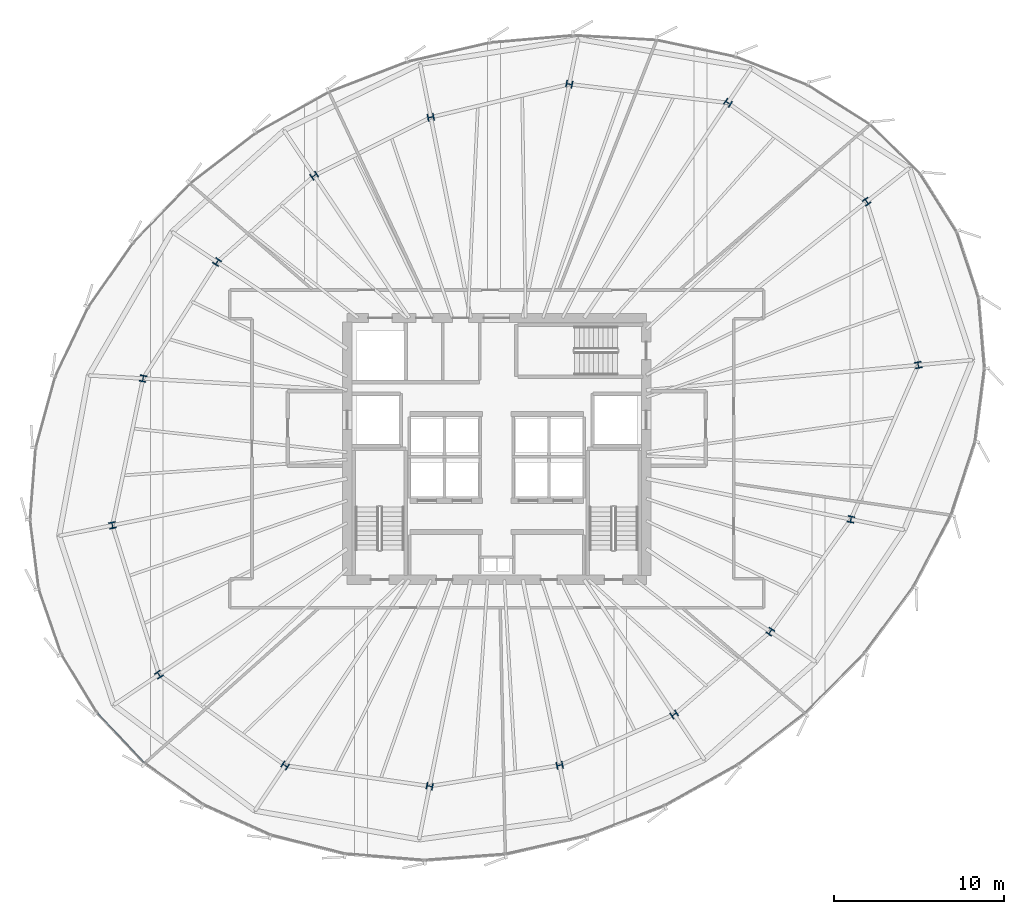
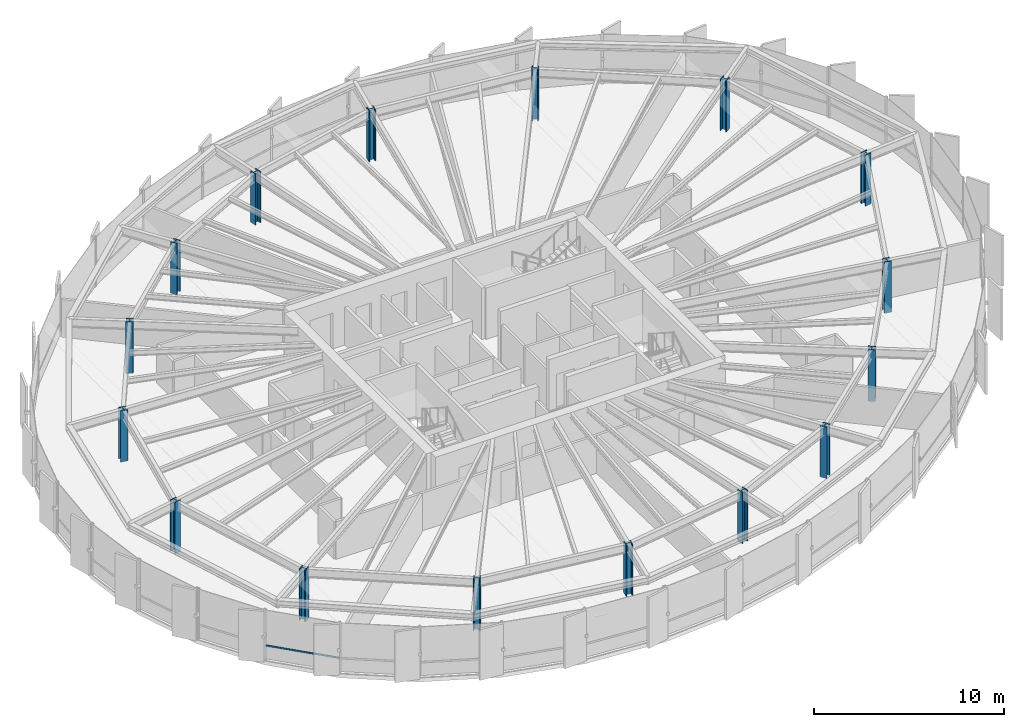
# One storey, part 1 of 35: 16 columns, 1 member, 1 element without a shape of its own.
"""IFC4 building model written with IfcOpenShell, lengths in metres."""

from ifc_helpers import new_model, si_unit, direction, frame, origin, origin_2d, place, context, subcontext, project, spatial, hollow_rectangle, i_section, extrude, source, transform, mapped, material, layer, layer_set, material_profile, profile_set, type_object, element, aggregate, save


model = new_model("IFC4")

# Units and contexts
model_context = context("Model", 3, precision=1e-05, world=origin(), true_north=direction((0.0, 1.0)))
body_context = subcontext(model_context, "Body", "Model", "MODEL_VIEW")
ifc_project = project(units=[si_unit("LENGTHUNIT", "METRE"), si_unit("AREAUNIT", "SQUARE_METRE"), si_unit("VOLUMEUNIT", "CUBIC_METRE"), si_unit("PLANEANGLEUNIT", "RADIAN"), si_unit("MASSUNIT", "GRAM", prefix="KILO"), si_unit("THERMODYNAMICTEMPERATUREUNIT", "KELVIN")], contexts=[model_context])

# Site, building, storey
site_placement = place(None, origin())
site = spatial("IfcSite", under=ifc_project, at=site_placement, CompositionType="ELEMENT")
building_placement = place(site_placement, origin())
building = spatial("IfcBuilding", under=site, at=building_placement, Name="Kethvar Cultural Tower", CompositionType="ELEMENT")
storey_placement = place(building_placement, frame((0.0, 0.0, 135.89990234375)))
storey = spatial("IfcBuildingStorey", under=building, at=storey_placement, Name="L34", CompositionType="ELEMENT", Elevation=135.89990234375)

# Columns
ifc_material_1 = material(Name="Steel S460M", Category="steel")
ifc_material_profile_1 = material_profile(ifc_material_1, i_section(OverallWidth=0.40087890625, OverallDepth=0.381103515625, WebThickness=0.031982421875, FlangeThickness=0.051025390625, FilletRadius=0.014892578125, at=origin_2d()), Name="Steel S460M — HD400x677")
ifc_profile_set_1 = profile_set([ifc_material_profile_1], Name="Steel S460M — HD400x677")
column_type = type_object("IfcColumnType", Name="COL-HD677", PredefinedType="COLUMN", material=ifc_profile_set_1)
shared_shape_1 = source(origin(), body_context, "Body", "SweptSolid", [
    extrude(i_section(OverallWidth=0.40087890625, OverallDepth=0.381103515625, WebThickness=0.031982421875, FlangeThickness=0.051025390625, FilletRadius=0.014892578125, at=origin_2d()), origin(), (0.0, 0.0, 1.0), 3.300048828125),
])
for number, where, z_axis, x_axis, name in (
    (1, (71.6025390625, 32.7333984375, 0.0), (0.0, 0.0, 1.0), (0.980785280403, 0.195090322016, 0.0), "L34 Mega-Column MC-01"),
    (2, (68.568603515625, 42.34521484375, 0.0), (0.0, 0.0, 1.0), (0.831469612303, 0.55557023302, 0.0), "L34 Mega-Column MC-02"),
    (3, (60.40478515625, 48.160888671875, 0.0), (0.0, 0.0, 1.0), (0.55557023302, 0.831469612303, 0.0), "L34 Mega-Column MC-03"),
    (4, (51.068603515625, 49.25927734375, 0.0), (0.0, 0.0, 1.0), (0.195090322016, 0.980785280403, 0.0), "L34 Mega-Column MC-04"),
    (5, (42.9189453125, 47.311279296875, 0.0), (0.0, 0.0, 1.0), (-0.195090322016, 0.980785280403, 0.0), "L34 Mega-Column MC-05"),
    (6, (36.0576171875, 43.877197265625, 0.0), (0.0, 0.0, 1.0), (-0.55557023302, 0.831469612303, 0.0), "L34 Mega-Column MC-06"),
    (7, (30.345947265625, 38.794189453125, 0.0), (0.0, 0.0, 1.0), (-0.831469612303, 0.55557023302, 0.0), "L34 Mega-Column MC-07"),
    (8, (25.988525390625, 31.939697265625, 0.0), (0.0, 0.0, 1.0), (-0.980785280403, 0.195090322016, 0.0), "L34 Mega-Column MC-08"),
    (9, (24.185302734375, 23.3017578125, 0.0), (0.0, 0.0, 1.0), (-0.980785280403, -0.195090322016, 0.0), "L34 Mega-Column MC-09"),
    (10, (26.920654296875, 14.51708984375, 0.0), (0.0, 0.0, 1.0), (-0.831469612303, -0.55557023302, 0.0), "L34 Mega-Column MC-10"),
    (11, (34.350830078125, 9.16845703125, 0.0), (0.0, 0.0, 1.0), (-0.55557023302, -0.831469612303, 0.0), "L34 Mega-Column MC-11"),
    (12, (42.852294921875, 7.95361328125, 0.0), (0.0, 0.0, 1.0), (-0.195090322016, -0.980785280403, 0.0), "L34 Mega-Column MC-12"),
    (13, (50.50341796875, 9.182373046875, 0.0), (0.0, 0.0, 1.0), (0.195090322016, -0.980785280403, 0.0), "L34 Mega-Column MC-13"),
    (14, (57.241943359375, 12.17236328125, 0.0), (0.0, 0.0, 1.0), (0.55557023302, -0.831469612303, 0.0), "L34 Mega-Column MC-14"),
    (15, (62.898681640625, 17.043212890625, 0.0), (0.0, 0.0, 1.0), (0.831469612303, -0.55557023302, 0.0), "L34 Mega-Column MC-15"),
    (16, (67.638671875, 23.65478515625, 0.0), (0.0, 0.0, 1.0), (0.980785280403, -0.195090322016, 0.0), "L34 Mega-Column MC-16"),
):
    element("IfcColumn", number, at=place(storey_placement, frame(where, z_axis=z_axis, x_axis=x_axis)), inside=storey, type_object=column_type, Name=name, PredefinedType="COLUMN", context=body_context, shape_type="MappedRepresentation", body=[
        mapped(shared_shape_1, transform((0.0, 0.0, 0.0), scale=1.0)),
    ])

# Curtain wall, member
ifc_material_2 = material(Name="Aluminium 6063-T6", Category="aluminium")
ifc_layer = layer(ifc_material_2, 0.179931640625, Name="Aluminium 6063-T6", Category="aluminium")
ifc_layer_set = layer_set([ifc_layer], Name="Aluminium 6063-T6 (180 mm)")
curtain_wall_type = type_object("IfcCurtainWallType", Name="CW-SYS-04-Z34", PredefinedType="NOTDEFINED", material=ifc_layer_set)
curtain_wall_placement = place(storey_placement, origin())
curtain_wall = element("IfcCurtainWall", 17, at=curtain_wall_placement, inside=storey, type_object=curtain_wall_type, Name="L34 Curtain Wall Run 04", PredefinedType="NOTDEFINED")
ifc_material_profile_2 = material_profile(ifc_material_2, hollow_rectangle(XDim=0.050048828125, YDim=0.10009765625, WallThickness=0.00390625, at=origin_2d()), Name="Aluminium 6063-T6 — RHS100x50x4")
ifc_profile_set_2 = profile_set([ifc_material_profile_2], Name="Aluminium 6063-T6 — RHS100x50x4")
member_type = type_object("IfcMemberType", Name="CW-SYS-04-Z34-TRN", PredefinedType="USERDEFINED", material=ifc_profile_set_2)
shared_shape_2 = source(origin(), body_context, "Body", "SweptSolid", [
    extrude(hollow_rectangle(XDim=0.050048828125, YDim=0.10009765625, WallThickness=0.00390625, at=origin_2d()), origin(), (0.0, 0.0, 1.0), 4.040283203125),
])
member_placement = place(storey_placement, frame((23.30908203125, 12.267333984375, 0.9501953125), z_axis=(0.685796222288, -0.727793611881, 0.0), x_axis=(0.727793611881, 0.685796222288, 0.0)))
member = element("IfcMember", 18, at=member_placement, type_object=member_type, Name="CW-L34-R04 Transom 2", ObjectType="TRANSOM", PredefinedType="USERDEFINED", context=body_context, shape_type="MappedRepresentation", body=[
    mapped(shared_shape_2, transform((0.0, 0.0, 0.0), scale=1.0)),
])
aggregate(curtain_wall, [member])

save(model, "model.ifc")
